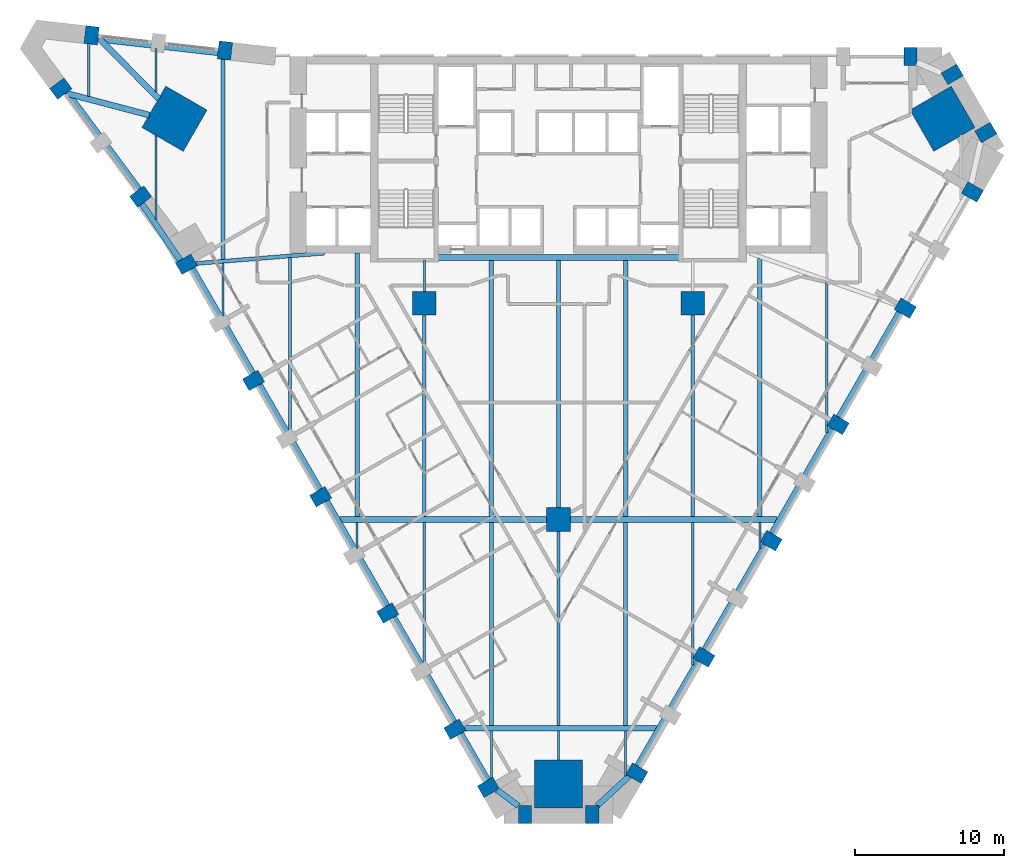
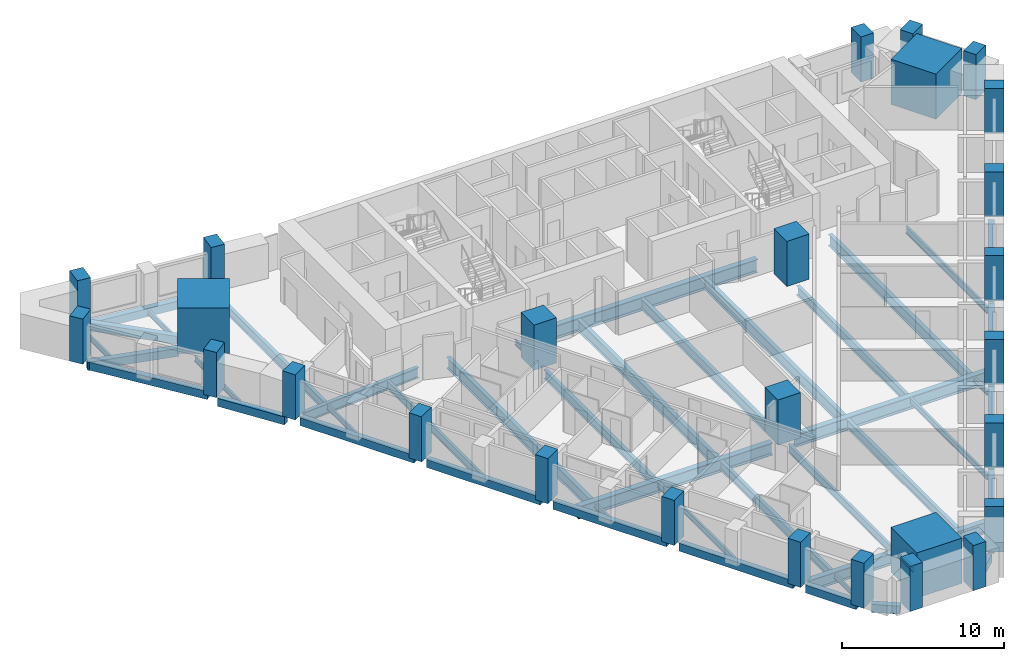
# One storey, part 1 of 11: 46 beams, 27 columns.
"""IFC4 building model written with IfcOpenShell, lengths in metres."""

from ifc_helpers import new_model, si_unit, direction, frame, origin, origin_2d, place, context, subcontext, project, spatial, rectangle, i_section, extrude, material, material_profile, profile_set, type_object, element, save


model = new_model("IFC4")

# Units and contexts
model_context = context("Model", 3, precision=1e-05, world=origin(), true_north=direction((0.0, 1.0)))
body_context = subcontext(model_context, "Body", "Model", "MODEL_VIEW")
ifc_project = project(units=[si_unit("LENGTHUNIT", "METRE"), si_unit("AREAUNIT", "SQUARE_METRE"), si_unit("VOLUMEUNIT", "CUBIC_METRE"), si_unit("PLANEANGLEUNIT", "RADIAN"), si_unit("MASSUNIT", "GRAM", prefix="KILO")], contexts=[model_context])

# Site, building, storey
site_placement = place(None, origin())
site = spatial("IfcSite", under=ifc_project, at=site_placement, CompositionType="ELEMENT")
building_placement = place(site_placement, origin())
building = spatial("IfcBuilding", under=site, at=building_placement, Name="Calabash Gate Tower", CompositionType="ELEMENT")
storey_placement = place(building_placement, frame((0.0, 0.0, 49.39990234375)))
storey = spatial("IfcBuildingStorey", under=building, at=storey_placement, Name="L07", CompositionType="ELEMENT", Elevation=49.39990234375)

# Columns
ifc_material_1 = material(Name="Concrete C80/95", Category="concrete")
ifc_material_profile_1 = material_profile(ifc_material_1, rectangle(XDim=1.60009765625, YDim=1.60009765625, at=origin_2d()))
ifc_profile_set_1 = profile_set([ifc_material_profile_1], Name="Concrete C80/95")
column_type_1 = type_object("IfcColumnType", Name="Interior column RC 1600x1600 Concrete C80/95", PredefinedType="COLUMN", material=ifc_profile_set_1)
for number, where, z_axis, x_axis, name in (
    (1, (-9.0, 2.5, 0.0), (0.0, 0.0, 1.0), (1.0, 0.0, 0.0), "Interior column L07 I0"),
    (2, (9.0, 2.5, 0.0), (0.0, 0.0, 1.0), (1.0, 0.0, 0.0), "Interior column L07 I1"),
    (3, (0.0, -12.0, 0.0), (0.0, 0.0, 1.0), (1.0, 0.0, 0.0), "Interior column L07 I2"),
):
    element("IfcColumn", number, at=place(storey_placement, frame(where, z_axis=z_axis, x_axis=x_axis)), inside=storey, type_object=column_type_1, Name=name, PredefinedType="COLUMN", context=body_context, shape_type="SweptSolid", body=[
        extrude(rectangle(XDim=1.60009765625, YDim=1.60009765625, at=origin_2d()), origin(), (0.0, 0.0, 1.0), 3.400146484375),
    ])
ifc_material_2 = material(Name="Concrete C80/95", Category="concrete")
ifc_material_profile_2 = material_profile(ifc_material_2, rectangle(XDim=3.199951171875, YDim=3.199951171875, at=origin_2d()))
ifc_profile_set_2 = profile_set([ifc_material_profile_2], Name="Concrete C80/95")
column_type_2 = type_object("IfcColumnType", Name="Mega column RC 3200x3200 Concrete C80/95", PredefinedType="COLUMN", material=ifc_profile_set_2)
for number, where, z_axis, x_axis, name in (
    (4, (-25.75, 14.866943359375, 0.0), (0.0, 0.0, 1.0), (0.866025386331, -0.50000003023, 0.0), "Mega column L07 NW"),
    (5, (25.75, 14.866943359375, 0.0), (0.0, 0.0, 1.0), (-0.866025386331, -0.50000003023, 0.0), "Mega column L07 NE"),
    (6, (0.0, -29.73291015625, 0.0), (0.0, 0.0, 1.0), (0.0, 1.0, 0.0), "Mega column L07 S"),
):
    element("IfcColumn", number, at=place(storey_placement, frame(where, z_axis=z_axis, x_axis=x_axis)), inside=storey, type_object=column_type_2, Name=name, PredefinedType="COLUMN", context=body_context, shape_type="SweptSolid", body=[
        extrude(rectangle(XDim=3.199951171875, YDim=3.199951171875, at=origin_2d()), origin(), (0.0, 0.0, 1.0), 3.400146484375),
    ])
ifc_material_3 = material(Name="Concrete C70/85", Category="concrete")
ifc_material_profile_3 = material_profile(ifc_material_3, rectangle(XDim=0.89990234375, YDim=1.199951171875, at=origin_2d()))
ifc_profile_set_3 = profile_set([ifc_material_profile_3], Name="Concrete C70/85")
column_type_3 = type_object("IfcColumnType", Name="Perimeter column RC 900x1200 Concrete C70/85", PredefinedType="COLUMN", material=ifc_profile_set_3)
for number, where, z_axis, x_axis, name in (
    (7, (-24.949951171875, 5.110107421875, 0.0), (0.0, 0.0, 1.0), (0.5, -0.866025403784, 0.0), "Perimeter column L07 P00"),
    (8, (-20.449951171875, -2.68310546875, 0.0), (0.0, 0.0, 1.0), (0.5, -0.866025403784, 0.0), "Perimeter column L07 P01"),
    (9, (-15.949951171875, -10.47900390625, 0.0), (0.0, 0.0, 1.0), (0.5, -0.866025403784, 0.0), "Perimeter column L07 P02"),
    (10, (-11.449951171875, -18.27294921875, 0.0), (0.0, 0.0, 1.0), (0.5, -0.866025403784, 0.0), "Perimeter column L07 P03"),
    (11, (-6.949951171875, -26.06689453125, 0.0), (0.0, 0.0, 1.0), (0.5, -0.866025403784, 0.0), "Perimeter column L07 P04"),
    (12, (-4.699951171875, -29.964111328125, 0.0), (0.0, 0.0, 1.0), (0.5, -0.866025403784, 0.0), "Perimeter column L07 P05"),
    (13, (-2.25, -31.782958984375, 0.0), (0.0, 0.0, 1.0), (1.0, 0.0, 0.0), "Perimeter column L07 P06"),
    (14, (2.25, -31.782958984375, 0.0), (0.0, 0.0, 1.0), (1.0, 0.0, 0.0), "Perimeter column L07 P07"),
    (15, (5.25, -29.011962890625, 0.0), (0.0, 0.0, 1.0), (0.5, 0.866025403784, 0.0), "Perimeter column L07 P08"),
    (16, (9.75, -21.218017578125, 0.0), (0.0, 0.0, 1.0), (0.5, 0.866025403784, 0.0), "Perimeter column L07 P09"),
    (17, (14.25, -13.423095703125, 0.0), (0.0, 0.0, 1.0), (0.5, 0.866025403784, 0.0), "Perimeter column L07 P10"),
    (18, (18.75, -5.62890625, 0.0), (0.0, 0.0, 1.0), (0.5, 0.866025403784, 0.0), "Perimeter column L07 P11"),
    (19, (23.25, 2.1669921875, 0.0), (0.0, 0.0, 1.0), (0.5, 0.866025403784, 0.0), "Perimeter column L07 P12"),
    (20, (27.75, 9.958984375, 0.0), (0.0, 0.0, 1.0), (0.5, 0.866025403784, 0.0), "Perimeter column L07 P13"),
    (21, (28.64990234375, 13.943115234375, 0.0), (0.0, 0.0, 1.0), (-0.49999996977, 0.866025421238, 0.0), "Perimeter column L07 P14"),
    (22, (26.39990234375, 17.840087890625, 0.0), (0.0, 0.0, 1.0), (-0.49999996977, 0.866025421238, 0.0), "Perimeter column L07 P15"),
    (23, (23.60009765625, 19.052978515625, 0.0), (0.0, 0.0, 1.0), (-1.0, 0.0, 0.0), "Perimeter column L07 P16"),
    (24, (-22.366943359375, 19.43798828125, 0.0), (0.0, 0.0, 1.0), (-0.993506319736, 0.113776942504, 0.0), "Perimeter column L07 P17"),
    (25, (-31.30908203125, 20.4619140625, 0.0), (0.0, 0.0, 1.0), (-0.993506319736, 0.113776942504, 0.0), "Perimeter column L07 P18"),
    (26, (-33.373046875, 16.883056640625, 0.0), (0.0, 0.0, 1.0), (0.595286896465, -0.80351323007, 0.0), "Perimeter column L07 P19"),
    (27, (-28.01806640625, 9.65087890625, 0.0), (0.0, 0.0, 1.0), (0.595286896465, -0.80351323007, 0.0), "Perimeter column L07 P20"),
):
    element("IfcColumn", number, at=place(storey_placement, frame(where, z_axis=z_axis, x_axis=x_axis)), inside=storey, type_object=column_type_3, Name=name, PredefinedType="COLUMN", context=body_context, shape_type="SweptSolid", body=[
        extrude(rectangle(XDim=0.89990234375, YDim=1.199951171875, at=origin_2d()), origin(), (0.0, 0.0, 1.0), 3.400146484375),
    ])

# Beams
ifc_material_4 = material(Name="Concrete C60/75", Category="concrete")
ifc_material_profile_4 = material_profile(ifc_material_4, rectangle(XDim=0.39990234375, YDim=0.60009765625, at=origin_2d()))
ifc_profile_set_4 = profile_set([ifc_material_profile_4], Name="Concrete C60/75")
beam_type_1 = type_object("IfcBeamType", Name="Edge beam RC 400x600 Concrete C60/75", PredefinedType="BEAM", material=ifc_profile_set_4)
beam_1_placement = place(storey_placement, frame((-20.052001953125, -2.97412109375, -0.469970703125), z_axis=(0.499999880539, -0.866025472755, 0.0), x_axis=(0.866025472755, 0.499999880539, 0.0)))
element("IfcBeam", 28, at=beam_1_placement, inside=storey, type_object=beam_type_1, Name="Edge beam L07 1", PredefinedType="BEAM", context=body_context, shape_type="SweptSolid", body=[
    extrude(rectangle(XDim=0.39990234375, YDim=0.60009765625, at=origin_2d()), origin(), (0.0, 0.0, 1.0), 8.10009765625),
])
beam_2_placement = place(storey_placement, frame((-15.552001953125, -10.76904296875, -0.469970703125), z_axis=(0.50005208986, -0.865995327601, 0.0), x_axis=(0.865995327601, 0.50005208986, 0.0)))
element("IfcBeam", 29, at=beam_2_placement, inside=storey, type_object=beam_type_1, Name="Edge beam L07 2", PredefinedType="BEAM", context=body_context, shape_type="SweptSolid", body=[
    extrude(rectangle(XDim=0.39990234375, YDim=0.60009765625, at=origin_2d()), origin(), (0.0, 0.0, 1.0), 8.099365234375),
])
beam_3_placement = place(storey_placement, frame((-11.052001953125, -18.56298828125, -0.469970703125), z_axis=(0.499999880539, -0.866025472755, 0.0), x_axis=(0.866025472755, 0.499999880539, 0.0)))
element("IfcBeam", 30, at=beam_3_placement, inside=storey, type_object=beam_type_1, Name="Edge beam L07 3", PredefinedType="BEAM", context=body_context, shape_type="SweptSolid", body=[
    extrude(rectangle(XDim=0.39990234375, YDim=0.60009765625, at=origin_2d()), origin(), (0.0, 0.0, 1.0), 8.10009765625),
])
beam_4_placement = place(storey_placement, frame((-6.552001953125, -26.35693359375, -0.469970703125), z_axis=(0.500217689534, -0.865899684188, 0.0), x_axis=(0.865899684188, 0.500217689534, 0.0)))
element("IfcBeam", 31, at=beam_4_placement, inside=storey, type_object=beam_type_1, Name="Edge beam L07 4", PredefinedType="BEAM", context=body_context, shape_type="SweptSolid", body=[
    extrude(rectangle(XDim=0.39990234375, YDim=0.60009765625, at=origin_2d()), origin(), (0.0, 0.0, 1.0), 3.5986328125),
])
beam_5_placement = place(storey_placement, frame((-4.133056640625, -30.133056640625, -0.469970703125), z_axis=(0.802126667383, -0.59715392444, 0.0), x_axis=(0.59715392444, 0.802126667383, 0.0)))
element("IfcBeam", 32, at=beam_5_placement, inside=storey, type_object=beam_type_1, Name="Edge beam L07 5", PredefinedType="BEAM", context=body_context, shape_type="SweptSolid", body=[
    extrude(rectangle(XDim=0.39990234375, YDim=0.60009765625, at=origin_2d()), origin(), (0.0, 0.0, 1.0), 1.78662109375),
])
beam_6_placement = place(storey_placement, frame((2.5810546875, -31.202880859375, -0.469970703125), z_axis=(0.734549341338, 0.67855527788, 0.0), x_axis=(-0.67855527788, 0.734549341338, 0.0)))
element("IfcBeam", 33, at=beam_6_placement, inside=storey, type_object=beam_type_1, Name="Edge beam L07 6", PredefinedType="BEAM", context=body_context, shape_type="SweptSolid", body=[
    extrude(rectangle(XDim=0.39990234375, YDim=0.60009765625, at=origin_2d()), origin(), (0.0, 0.0, 1.0), 2.947509765625),
])
beam_7_placement = place(storey_placement, frame((5.302001953125, -28.52197265625, -0.469970703125), z_axis=(0.499999880539, 0.866025472755, 0.0), x_axis=(-0.866025472755, 0.499999880539, 0.0)))
element("IfcBeam", 34, at=beam_7_placement, inside=storey, type_object=beam_type_1, Name="Edge beam L07 7", PredefinedType="BEAM", context=body_context, shape_type="SweptSolid", body=[
    extrude(rectangle(XDim=0.39990234375, YDim=0.60009765625, at=origin_2d()), origin(), (0.0, 0.0, 1.0), 8.10009765625),
])
for number, where, z_axis, x_axis, name in (
    (35, (9.802001953125, -20.72802734375, -0.469970703125), (0.499986829629, 0.866033007568, 0.0), (-0.866033007568, 0.499986829629, 0.0), "Edge beam L07 8"),
    (36, (14.302001953125, -12.93408203125, -0.469970703125), (0.499986829629, 0.866033007568, 0.0), (-0.866033007568, 0.499986829629, 0.0), "Edge beam L07 9"),
):
    element("IfcBeam", number, at=place(storey_placement, frame(where, z_axis=z_axis, x_axis=x_axis)), inside=storey, type_object=beam_type_1, Name=name, PredefinedType="BEAM", context=body_context, shape_type="SweptSolid", body=[
        extrude(rectangle(XDim=0.39990234375, YDim=0.60009765625, at=origin_2d()), origin(), (0.0, 0.0, 1.0), 8.100341796875),
    ])
beam_8_placement = place(storey_placement, frame((18.802001953125, -5.138916015625, -0.469970703125), z_axis=(0.499947680303, 0.866055608468, 0.0), x_axis=(-0.866055608468, 0.499947680303, 0.0)))
element("IfcBeam", 37, at=beam_8_placement, inside=storey, type_object=beam_type_1, Name="Edge beam L07 10", PredefinedType="BEAM", context=body_context, shape_type="SweptSolid", body=[
    extrude(rectangle(XDim=0.39990234375, YDim=0.60009765625, at=origin_2d()), origin(), (0.0, 0.0, 1.0), 8.100830078125),
])
beam_9_placement = place(storey_placement, frame((-22.8369140625, 19.291015625, -0.469970703125), z_axis=(-0.993515562215, 0.11369620766, 0.0), x_axis=(-0.11369620766, -0.993515562215, 0.0)))
element("IfcBeam", 38, at=beam_9_placement, inside=storey, type_object=beam_type_1, Name="Edge beam L07 14", PredefinedType="BEAM", context=body_context, shape_type="SweptSolid", body=[
    extrude(rectangle(XDim=0.39990234375, YDim=0.60009765625, at=origin_2d()), origin(), (0.0, 0.0, 1.0), 8.099609375),
])
beam_10_placement = place(storey_placement, frame((-30.888916015625, 20.322998046875, -0.469970703125), z_axis=(0.704852148088, -0.709354248127, 0.0), x_axis=(0.709354248127, 0.704852148088, 0.0)))
element("IfcBeam", 39, at=beam_10_placement, inside=storey, type_object=beam_type_1, Name="Edge beam L07 15", PredefinedType="BEAM", context=body_context, shape_type="SweptSolid", body=[
    extrude(rectangle(XDim=0.39990234375, YDim=0.60009765625, at=origin_2d()), origin(), (0.0, 0.0, 1.0), 5.802490234375),
])
beam_11_placement = place(storey_placement, frame((-27.43310546875, 15.10693359375, -0.469970703125), z_axis=(-0.966823902726, 0.255443812057, 0.0), x_axis=(-0.255443812057, -0.966823902726, 0.0)))
element("IfcBeam", 40, at=beam_11_placement, inside=storey, type_object=beam_type_1, Name="Edge beam L07 16", PredefinedType="BEAM", context=body_context, shape_type="SweptSolid", body=[
    extrude(rectangle(XDim=0.39990234375, YDim=0.60009765625, at=origin_2d()), origin(), (0.0, 0.0, 1.0), 5.80224609375),
])
beam_12_placement = place(storey_placement, frame((-32.947021484375, 16.64111328125, -0.469970703125), z_axis=(0.595424273409, -0.803411435465, 0.0), x_axis=(0.803411435465, 0.595424273409, 0.0)))
element("IfcBeam", 41, at=beam_12_placement, inside=storey, type_object=beam_type_1, Name="Edge beam L07 17", PredefinedType="BEAM", context=body_context, shape_type="SweptSolid", body=[
    extrude(rectangle(XDim=0.39990234375, YDim=0.60009765625, at=origin_2d()), origin(), (0.0, 0.0, 1.0), 8.101806640625),
])
beam_13_placement = place(storey_placement, frame((-27.93896484375, 9.177001953125, -0.469970703125), z_axis=(0.559945084616, -0.828529723193, 0.0), x_axis=(0.828529723193, 0.559945084616, 0.0)))
element("IfcBeam", 42, at=beam_13_placement, inside=storey, type_object=beam_type_1, Name="Edge beam L07 18", PredefinedType="BEAM", context=body_context, shape_type="SweptSolid", body=[
    extrude(rectangle(XDim=0.39990234375, YDim=0.60009765625, at=origin_2d()), origin(), (0.0, 0.0, 1.0), 4.5986328125),
])
beam_14_placement = place(storey_placement, frame((-24.552001953125, 4.820068359375, -0.469970703125), z_axis=(0.500091252813, -0.865972712538, 0.0), x_axis=(0.865972712538, 0.500091252813, 0.0)))
element("IfcBeam", 43, at=beam_14_placement, inside=storey, type_object=beam_type_1, Name="Edge beam L07 19", PredefinedType="BEAM", context=body_context, shape_type="SweptSolid", body=[
    extrude(rectangle(XDim=0.39990234375, YDim=0.60009765625, at=origin_2d()), origin(), (0.0, 0.0, 1.0), 8.0986328125),
])
ifc_material_5 = material(Name="Steel ASTM A992 Gr50", Category="steel")
ifc_material_profile_5 = material_profile(ifc_material_5, i_section(OverallWidth=0.1396484375, OverallDepth=0.398681640625, WebThickness=0.00634765625, FlangeThickness=0.0087890625, FilletRadius=0.01025390625, at=origin_2d()))
ifc_profile_set_5 = profile_set([ifc_material_profile_5], Name="Steel ASTM A992 Gr50")
beam_type_2 = type_object("IfcBeamType", Name="Floor beam W16x26 ASTM A992 Gr50", PredefinedType="BEAM", material=ifc_profile_set_5)
beam_15_placement = place(storey_placement, frame((-31.5, 16.366943359375, -0.368896484375), z_axis=(0.0, 1.0, 0.0), x_axis=(-1.0, 0.0, 0.0)))
element("IfcBeam", 44, at=beam_15_placement, inside=storey, type_object=beam_type_2, Name="Floor beam L07 1", PredefinedType="BEAM", context=body_context, shape_type="SweptSolid", body=[
    extrude(i_section(OverallWidth=0.1396484375, OverallDepth=0.398681640625, WebThickness=0.00634765625, FlangeThickness=0.0087890625, FilletRadius=0.01025390625, at=origin_2d()), origin(), (0.0, 0.0, 1.0), 3.53515625),
])
beam_16_placement = place(storey_placement, frame((-27.0, 8.117919921875, -0.368896484375), z_axis=(0.0, 1.0, 0.0), x_axis=(-1.0, 0.0, 0.0)))
element("IfcBeam", 45, at=beam_16_placement, inside=storey, type_object=beam_type_2, Name="Floor beam L07 2", PredefinedType="BEAM", context=body_context, shape_type="SweptSolid", body=[
    extrude(i_section(OverallWidth=0.1396484375, OverallDepth=0.398681640625, WebThickness=0.00634765625, FlangeThickness=0.0087890625, FilletRadius=0.01025390625, at=origin_2d()), origin(), (0.0, 0.0, 1.0), 5.655029296875),
])
beam_17_placement = place(storey_placement, frame((-27.0, 16.6708984375, -0.368896484375), z_axis=(0.0, 1.0, 0.0), x_axis=(-1.0, 0.0, 0.0)))
element("IfcBeam", 46, at=beam_17_placement, inside=storey, type_object=beam_type_2, Name="Floor beam L07 3", PredefinedType="BEAM", context=body_context, shape_type="SweptSolid", body=[
    extrude(i_section(OverallWidth=0.1396484375, OverallDepth=0.398681640625, WebThickness=0.00634765625, FlangeThickness=0.0087890625, FilletRadius=0.01025390625, at=origin_2d()), origin(), (0.0, 0.0, 1.0), 2.9169921875),
])
beam_18_placement = place(storey_placement, frame((-22.5, 1.634033203125, -0.368896484375), z_axis=(0.0, 1.0, 0.0), x_axis=(-1.0, 0.0, 0.0)))
element("IfcBeam", 47, at=beam_18_placement, inside=storey, type_object=beam_type_2, Name="Floor beam L07 4", PredefinedType="BEAM", context=body_context, shape_type="SweptSolid", body=[
    extrude(i_section(OverallWidth=0.1396484375, OverallDepth=0.398681640625, WebThickness=0.00634765625, FlangeThickness=0.0087890625, FilletRadius=0.01025390625, at=origin_2d()), origin(), (0.0, 0.0, 1.0), 3.56298828125),
])
beam_19_placement = place(storey_placement, frame((-13.5, -13.9541015625, -0.368896484375), z_axis=(0.0, 1.0, 0.0), x_axis=(-1.0, 0.0, 0.0)))
element("IfcBeam", 48, at=beam_19_placement, inside=storey, type_object=beam_type_2, Name="Floor beam L07 7", PredefinedType="BEAM", context=body_context, shape_type="SweptSolid", body=[
    extrude(i_section(OverallWidth=0.1396484375, OverallDepth=0.398681640625, WebThickness=0.00634765625, FlangeThickness=0.0087890625, FilletRadius=0.01025390625, at=origin_2d()), origin(), (0.0, 0.0, 1.0), 1.744140625),
])
beam_20_placement = place(storey_placement, frame((-9.0, 3.300048828125, -0.368896484375), z_axis=(0.0, 1.0, 0.0), x_axis=(-1.0, 0.0, 0.0)))
element("IfcBeam", 49, at=beam_20_placement, inside=storey, type_object=beam_type_2, Name="Floor beam L07 11", PredefinedType="BEAM", context=body_context, shape_type="SweptSolid", body=[
    extrude(i_section(OverallWidth=0.1396484375, OverallDepth=0.398681640625, WebThickness=0.00634765625, FlangeThickness=0.0087890625, FilletRadius=0.01025390625, at=origin_2d()), origin(), (0.0, 0.0, 1.0), 2.10302734375),
])
beam_21_placement = place(storey_placement, frame((-4.5, -29.35107421875, -0.368896484375), z_axis=(0.0, 1.0, 0.0), x_axis=(-1.0, 0.0, 0.0)))
element("IfcBeam", 50, at=beam_21_placement, inside=storey, type_object=beam_type_2, Name="Floor beam L07 12", PredefinedType="BEAM", context=body_context, shape_type="SweptSolid", body=[
    extrude(i_section(OverallWidth=0.1396484375, OverallDepth=0.398681640625, WebThickness=0.00634765625, FlangeThickness=0.0087890625, FilletRadius=0.01025390625, at=origin_2d()), origin(), (0.0, 0.0, 1.0), 3.152099609375),
])
beam_22_placement = place(storey_placement, frame((0.0, -28.133056640625, -0.368896484375), z_axis=(0.0, 1.0, 0.0), x_axis=(-1.0, 0.0, 0.0)))
element("IfcBeam", 51, at=beam_22_placement, inside=storey, type_object=beam_type_2, Name="Floor beam L07 15", PredefinedType="BEAM", context=body_context, shape_type="SweptSolid", body=[
    extrude(i_section(OverallWidth=0.1396484375, OverallDepth=0.398681640625, WebThickness=0.00634765625, FlangeThickness=0.0087890625, FilletRadius=0.01025390625, at=origin_2d()), origin(), (0.0, 0.0, 1.0), 1.93408203125),
])
beam_23_placement = place(storey_placement, frame((4.5, -29.19189453125, -0.368896484375), z_axis=(0.0, 1.0, 0.0), x_axis=(-1.0, 0.0, 0.0)))
element("IfcBeam", 52, at=beam_23_placement, inside=storey, type_object=beam_type_2, Name="Floor beam L07 18", PredefinedType="BEAM", context=body_context, shape_type="SweptSolid", body=[
    extrude(i_section(OverallWidth=0.1396484375, OverallDepth=0.398681640625, WebThickness=0.00634765625, FlangeThickness=0.0087890625, FilletRadius=0.01025390625, at=origin_2d()), origin(), (0.0, 0.0, 1.0), 2.992919921875),
])
beam_24_placement = place(storey_placement, frame((13.5, -13.9541015625, -0.368896484375), z_axis=(0.0, 1.0, 0.0), x_axis=(-1.0, 0.0, 0.0)))
element("IfcBeam", 53, at=beam_24_placement, inside=storey, type_object=beam_type_2, Name="Floor beam L07 24", PredefinedType="BEAM", context=body_context, shape_type="SweptSolid", body=[
    extrude(i_section(OverallWidth=0.1396484375, OverallDepth=0.398681640625, WebThickness=0.00634765625, FlangeThickness=0.0087890625, FilletRadius=0.01025390625, at=origin_2d()), origin(), (0.0, 0.0, 1.0), 1.744140625),
])
ifc_material_6 = material(Name="Steel ASTM A992 Gr50", Category="steel")
ifc_material_profile_6 = material_profile(ifc_material_6, i_section(OverallWidth=0.15234375, OverallDepth=0.44970703125, WebThickness=0.007568359375, FlangeThickness=0.0107421875, FilletRadius=0.01025390625, at=origin_2d()))
ifc_profile_set_6 = profile_set([ifc_material_profile_6], Name="Steel ASTM A992 Gr50")
beam_type_3 = type_object("IfcBeamType", Name="Floor beam W18x35 ASTM A992 Gr50", PredefinedType="BEAM", material=ifc_profile_set_6)
for number, where, z_axis, x_axis, name in (
    (54, (-9.0, -21.7490234375, -0.392822265625), (0.0, 1.0, 0.0), (-1.0, 0.0, 0.0), "Floor beam L07 9"),
    (55, (9.0, -21.7490234375, -0.392822265625), (0.0, 1.0, 0.0), (-1.0, 0.0, 0.0), "Floor beam L07 21"),
):
    element("IfcBeam", number, at=place(storey_placement, frame(where, z_axis=z_axis, x_axis=x_axis)), inside=storey, type_object=beam_type_3, Name=name, PredefinedType="BEAM", context=body_context, shape_type="SweptSolid", body=[
        extrude(i_section(OverallWidth=0.15234375, OverallDepth=0.44970703125, WebThickness=0.007568359375, FlangeThickness=0.0107421875, FilletRadius=0.01025390625, at=origin_2d()), origin(), (0.0, 0.0, 1.0), 9.5390625),
    ])
ifc_material_7 = material(Name="Steel ASTM A992 Gr50", Category="steel")
ifc_material_profile_7 = material_profile(ifc_material_7, i_section(OverallWidth=0.166015625, OverallDepth=0.5283203125, WebThickness=0.009765625, FlangeThickness=0.013671875, FilletRadius=0.0126953125, at=origin_2d()))
ifc_profile_set_7 = profile_set([ifc_material_profile_7], Name="Steel ASTM A992 Gr50")
beam_type_4 = type_object("IfcBeamType", Name="Floor beam W21x50 ASTM A992 Gr50", PredefinedType="BEAM", material=ifc_profile_set_7)
beam_25_placement = place(storey_placement, frame((18.0, -6.159912109375, -0.433837890625), z_axis=(0.0, 1.0, 0.0), x_axis=(-1.0, 0.0, 0.0)))
element("IfcBeam", 56, at=beam_25_placement, inside=storey, type_object=beam_type_4, Name="Floor beam L07 26", PredefinedType="BEAM", context=body_context, shape_type="SweptSolid", body=[
    extrude(i_section(OverallWidth=0.166015625, OverallDepth=0.5283203125, WebThickness=0.009765625, FlangeThickness=0.013671875, FilletRadius=0.0126953125, at=origin_2d()), origin(), (0.0, 0.0, 1.0), 10.055908203125),
])
ifc_material_8 = material(Name="Steel ASTM A992 Gr50", Category="steel")
ifc_material_profile_8 = material_profile(ifc_material_8, i_section(OverallWidth=0.1787109375, OverallDepth=0.60205078125, WebThickness=0.010986328125, FlangeThickness=0.014892578125, FilletRadius=0.0126953125, at=origin_2d()))
ifc_profile_set_8 = profile_set([ifc_material_profile_8], Name="Steel ASTM A992 Gr50")
beam_type_5 = type_object("IfcBeamType", Name="Floor beam W24x62 ASTM A992 Gr50", PredefinedType="BEAM", material=ifc_profile_set_8)
beam_26_placement = place(storey_placement, frame((-18.0, -6.159912109375, -0.470947265625), z_axis=(0.0, 1.0, 0.0), x_axis=(-1.0, 0.0, 0.0)))
element("IfcBeam", 57, at=beam_26_placement, inside=storey, type_object=beam_type_5, Name="Floor beam L07 6", PredefinedType="BEAM", context=body_context, shape_type="SweptSolid", body=[
    extrude(i_section(OverallWidth=0.1787109375, OverallDepth=0.60205078125, WebThickness=0.010986328125, FlangeThickness=0.014892578125, FilletRadius=0.0126953125, at=origin_2d()), origin(), (0.0, 0.0, 1.0), 11.718017578125),
])
beam_27_placement = place(storey_placement, frame((0.0, -25.801025390625, -0.470947265625), z_axis=(0.0, 1.0, 0.0), x_axis=(-1.0, 0.0, 0.0)))
element("IfcBeam", 58, at=beam_27_placement, inside=storey, type_object=beam_type_5, Name="Floor beam L07 16", PredefinedType="BEAM", context=body_context, shape_type="SweptSolid", body=[
    extrude(i_section(OverallWidth=0.1787109375, OverallDepth=0.60205078125, WebThickness=0.010986328125, FlangeThickness=0.014892578125, FilletRadius=0.0126953125, at=origin_2d()), origin(), (0.0, 0.0, 1.0), 13.0009765625),
])
ifc_material_9 = material(Name="Steel ASTM A992 Gr50", Category="steel")
ifc_material_profile_9 = material_profile(ifc_material_9, i_section(OverallWidth=0.25390625, OverallDepth=0.67822265625, WebThickness=0.01171875, FlangeThickness=0.016357421875, FilletRadius=0.01513671875, at=origin_2d()))
ifc_profile_set_9 = profile_set([ifc_material_profile_9], Name="Steel ASTM A992 Gr50")
beam_type_6 = type_object("IfcBeamType", Name="Floor beam W27x84 ASTM A992 Gr50", PredefinedType="BEAM", material=ifc_profile_set_9)
beam_28_placement = place(storey_placement, frame((-22.5, 5.4189453125, -0.5087890625), z_axis=(0.0, 1.0, 0.0), x_axis=(-1.0, 0.0, 0.0)))
element("IfcBeam", 59, at=beam_28_placement, inside=storey, type_object=beam_type_6, Name="Floor beam L07 5", PredefinedType="BEAM", context=body_context, shape_type="SweptSolid", body=[
    extrude(i_section(OverallWidth=0.25390625, OverallDepth=0.67822265625, WebThickness=0.01171875, FlangeThickness=0.016357421875, FilletRadius=0.01513671875, at=origin_2d()), origin(), (0.0, 0.0, 1.0), 13.4521484375),
])
beam_29_placement = place(storey_placement, frame((-9.0, -11.7900390625, -0.5087890625), z_axis=(0.0, 1.0, 0.0), x_axis=(-1.0, 0.0, 0.0)))
element("IfcBeam", 60, at=beam_29_placement, inside=storey, type_object=beam_type_6, Name="Floor beam L07 10", PredefinedType="BEAM", context=body_context, shape_type="SweptSolid", body=[
    extrude(i_section(OverallWidth=0.25390625, OverallDepth=0.67822265625, WebThickness=0.01171875, FlangeThickness=0.016357421875, FilletRadius=0.01513671875, at=origin_2d()), origin(), (0.0, 0.0, 1.0), 13.489990234375),
])
for number, where, z_axis, x_axis, name in (
    (61, (-4.5, -25.801025390625, -0.5087890625), (0.0, 1.0, 0.0), (-1.0, 0.0, 0.0), "Floor beam L07 13"),
    (62, (4.5, -25.801025390625, -0.5087890625), (0.0, 1.0, 0.0), (-1.0, 0.0, 0.0), "Floor beam L07 19"),
):
    element("IfcBeam", number, at=place(storey_placement, frame(where, z_axis=z_axis, x_axis=x_axis)), inside=storey, type_object=beam_type_6, Name=name, PredefinedType="BEAM", context=body_context, shape_type="SweptSolid", body=[
        extrude(i_section(OverallWidth=0.25390625, OverallDepth=0.67822265625, WebThickness=0.01171875, FlangeThickness=0.016357421875, FilletRadius=0.01513671875, at=origin_2d()), origin(), (0.0, 0.0, 1.0), 13.591064453125),
    ])
beam_30_placement = place(storey_placement, frame((9.0, -11.7900390625, -0.5087890625), z_axis=(0.0, 1.0, 0.0), x_axis=(-1.0, 0.0, 0.0)))
element("IfcBeam", 63, at=beam_30_placement, inside=storey, type_object=beam_type_6, Name="Floor beam L07 22", PredefinedType="BEAM", context=body_context, shape_type="SweptSolid", body=[
    extrude(i_section(OverallWidth=0.25390625, OverallDepth=0.67822265625, WebThickness=0.01171875, FlangeThickness=0.016357421875, FilletRadius=0.01513671875, at=origin_2d()), origin(), (0.0, 0.0, 1.0), 13.489990234375),
])
ifc_material_10 = material(Name="Steel ASTM A992 Gr50", Category="steel")
ifc_material_profile_10 = material_profile(ifc_material_10, i_section(OverallWidth=0.2666015625, OverallDepth=0.7568359375, WebThickness=0.013916015625, FlangeThickness=0.019287109375, FilletRadius=0.0166015625, at=origin_2d()))
ifc_profile_set_10 = profile_set([ifc_material_profile_10], Name="Steel ASTM A992 Gr50")
beam_type_7 = type_object("IfcBeamType", Name="Floor beam W30x108 ASTM A992 Gr50", PredefinedType="BEAM", material=ifc_profile_set_10)
beam_31_placement = place(storey_placement, frame((0.0, -11.199951171875, -0.5478515625), z_axis=(0.0, 1.0, 0.0), x_axis=(-1.0, 0.0, 0.0)))
element("IfcBeam", 64, at=beam_31_placement, inside=storey, type_object=beam_type_7, Name="Floor beam L07 17", PredefinedType="BEAM", context=body_context, shape_type="SweptSolid", body=[
    extrude(i_section(OverallWidth=0.2666015625, OverallDepth=0.7568359375, WebThickness=0.013916015625, FlangeThickness=0.019287109375, FilletRadius=0.0166015625, at=origin_2d()), origin(), (0.0, 0.0, 1.0), 16.552001953125),
])
ifc_material_11 = material(Name="Steel ASTM A992 Gr50", Category="steel")
ifc_material_profile_11 = material_profile(ifc_material_11, i_section(OverallWidth=0.2919921875, OverallDepth=0.845703125, WebThickness=0.015380859375, FlangeThickness=0.0244140625, FilletRadius=0.017822265625, at=origin_2d()))
ifc_profile_set_11 = profile_set([ifc_material_profile_11], Name="Steel ASTM A992 Gr50")
beam_type_8 = type_object("IfcBeamType", Name="Floor beam W33x141 ASTM A992 Gr50", PredefinedType="BEAM", material=ifc_profile_set_11)
beam_32_placement = place(storey_placement, frame((-13.5, -11.7900390625, -0.593017578125), z_axis=(0.0, 1.0, 0.0), x_axis=(-1.0, 0.0, 0.0)))
element("IfcBeam", 65, at=beam_32_placement, inside=storey, type_object=beam_type_8, Name="Floor beam L07 8", PredefinedType="BEAM", context=body_context, shape_type="SweptSolid", body=[
    extrude(i_section(OverallWidth=0.2919921875, OverallDepth=0.845703125, WebThickness=0.015380859375, FlangeThickness=0.0244140625, FilletRadius=0.017822265625, at=origin_2d()), origin(), (0.0, 0.0, 1.0), 17.64306640625),
])
for number, where, z_axis, x_axis, name in (
    (66, (-4.5, -11.7900390625, -0.593017578125), (0.0, 1.0, 0.0), (-1.0, 0.0, 0.0), "Floor beam L07 14"),
    (67, (4.5, -11.7900390625, -0.593017578125), (0.0, 1.0, 0.0), (-1.0, 0.0, 0.0), "Floor beam L07 20"),
):
    element("IfcBeam", number, at=place(storey_placement, frame(where, z_axis=z_axis, x_axis=x_axis)), inside=storey, type_object=beam_type_8, Name=name, PredefinedType="BEAM", context=body_context, shape_type="SweptSolid", body=[
        extrude(i_section(OverallWidth=0.2919921875, OverallDepth=0.845703125, WebThickness=0.015380859375, FlangeThickness=0.0244140625, FilletRadius=0.017822265625, at=origin_2d()), origin(), (0.0, 0.0, 1.0), 17.14208984375),
    ])
beam_33_placement = place(storey_placement, frame((13.5, -11.7900390625, -0.593017578125), z_axis=(0.0, 1.0, 0.0), x_axis=(-1.0, 0.0, 0.0)))
element("IfcBeam", 68, at=beam_33_placement, inside=storey, type_object=beam_type_8, Name="Floor beam L07 25", PredefinedType="BEAM", context=body_context, shape_type="SweptSolid", body=[
    extrude(i_section(OverallWidth=0.2919921875, OverallDepth=0.845703125, WebThickness=0.015380859375, FlangeThickness=0.0244140625, FilletRadius=0.017822265625, at=origin_2d()), origin(), (0.0, 0.0, 1.0), 17.301025390625),
])
ifc_material_12 = material(Name="Steel ASTM A992 Gr50", Category="steel")
ifc_material_profile_12 = material_profile(ifc_material_12, i_section(OverallWidth=0.2666015625, OverallDepth=0.77978515625, WebThickness=0.0166015625, FlangeThickness=0.030029296875, FilletRadius=0.0166015625, at=origin_2d()))
ifc_profile_set_12 = profile_set([ifc_material_profile_12], Name="Steel ASTM A992 Gr50")
beam_type_9 = type_object("IfcBeamType", Name="Girder W30x148 ASTM A992 Gr50", PredefinedType="BEAM", material=ifc_profile_set_12)
beam_34_placement = place(storey_placement, frame((-24.300048828125, 5.162109375, -0.559814453125), z_axis=(0.996777183761, 0.08021998463, 0.0), x_axis=(-0.08021998463, 0.996777183761, 0.0)))
element("IfcBeam", 69, at=beam_34_placement, inside=storey, type_object=beam_type_9, Name="Girder L07 2", PredefinedType="BEAM", context=body_context, shape_type="SweptSolid", body=[
    extrude(i_section(OverallWidth=0.2666015625, OverallDepth=0.77978515625, WebThickness=0.0166015625, FlangeThickness=0.030029296875, FilletRadius=0.0166015625, at=origin_2d()), origin(), (0.0, 0.0, 1.0), 8.625),
])
ifc_material_13 = material(Name="Steel ASTM A992 Gr50", Category="steel")
ifc_material_profile_13 = material_profile(ifc_material_13, i_section(OverallWidth=0.398681640625, OverallDepth=0.85595703125, WebThickness=0.018310546875, FlangeThickness=0.029296875, FilletRadius=0.02001953125, at=origin_2d()))
ifc_profile_set_13 = profile_set([ifc_material_profile_13], Name="Steel ASTM A992 Gr50")
beam_type_10 = type_object("IfcBeamType", Name="Girder W33x201 ASTM A992 Gr50", PredefinedType="BEAM", material=ifc_profile_set_13)
beam_35_placement = place(storey_placement, frame((-6.327880859375, -26.0, -0.597900390625), z_axis=(1.0, 0.0, 0.0), x_axis=(0.0, 1.0, 0.0)))
element("IfcBeam", 70, at=beam_35_placement, inside=storey, type_object=beam_type_10, Name="Girder L07 6", PredefinedType="BEAM", context=body_context, shape_type="SweptSolid", body=[
    extrude(i_section(OverallWidth=0.398681640625, OverallDepth=0.85595703125, WebThickness=0.018310546875, FlangeThickness=0.029296875, FilletRadius=0.02001953125, at=origin_2d()), origin(), (0.0, 0.0, 1.0), 12.886962890625),
])
ifc_material_14 = material(Name="Steel ASTM A992 Gr50", Category="steel")
ifc_material_profile_14 = material_profile(ifc_material_14, i_section(OverallWidth=0.419189453125, OverallDepth=0.927001953125, WebThickness=0.019287109375, FlangeThickness=0.031982421875, FilletRadius=0.024169921875, at=origin_2d()))
ifc_profile_set_14 = profile_set([ifc_material_profile_14], Name="Steel ASTM A992 Gr50")
beam_type_11 = type_object("IfcBeamType", Name="Girder W36x231 ASTM A992 Gr50", PredefinedType="BEAM", material=ifc_profile_set_14)
for number, where, z_axis, x_axis, name in (
    (71, (-14.64208984375, -12.0, -0.6337890625), (1.0, 0.0, 0.0), (0.0, 1.0, 0.0), "Girder L07 4"),
    (72, (0.800048828125, -12.0, -0.6337890625), (1.0, 0.0, 0.0), (0.0, 1.0, 0.0), "Girder L07 5"),
):
    element("IfcBeam", number, at=place(storey_placement, frame(where, z_axis=z_axis, x_axis=x_axis)), inside=storey, type_object=beam_type_11, Name=name, PredefinedType="BEAM", context=body_context, shape_type="SweptSolid", body=[
        extrude(i_section(OverallWidth=0.419189453125, OverallDepth=0.927001953125, WebThickness=0.019287109375, FlangeThickness=0.031982421875, FilletRadius=0.024169921875, at=origin_2d()), origin(), (0.0, 0.0, 1.0), 13.842041015625),
    ])
ifc_material_15 = material(Name="Steel ASTM A992 Gr50", Category="steel")
ifc_material_profile_15 = material_profile(ifc_material_15, i_section(OverallWidth=0.4013671875, OverallDepth=1.000732421875, WebThickness=0.01904296875, FlangeThickness=0.0361328125, FilletRadius=0.030029296875, at=origin_2d()))
ifc_profile_set_15 = profile_set([ifc_material_profile_15], Name="Steel ASTM A992 Gr50")
beam_type_12 = type_object("IfcBeamType", Name="Girder W40x249 ASTM A992 Gr50", PredefinedType="BEAM", material=ifc_profile_set_15)
beam_36_placement = place(storey_placement, frame((-8.25, 5.552978515625, -0.669921875), z_axis=(1.0, 0.0, 0.0), x_axis=(0.0, 1.0, 0.0)))
element("IfcBeam", 73, at=beam_36_placement, inside=storey, type_object=beam_type_12, Name="Girder L07 1", PredefinedType="BEAM", context=body_context, shape_type="SweptSolid", body=[
    extrude(i_section(OverallWidth=0.4013671875, OverallDepth=1.000732421875, WebThickness=0.01904296875, FlangeThickness=0.0361328125, FilletRadius=0.030029296875, at=origin_2d()), origin(), (0.0, 0.0, 1.0), 16.5),
])

save(model, "model.ifc")
